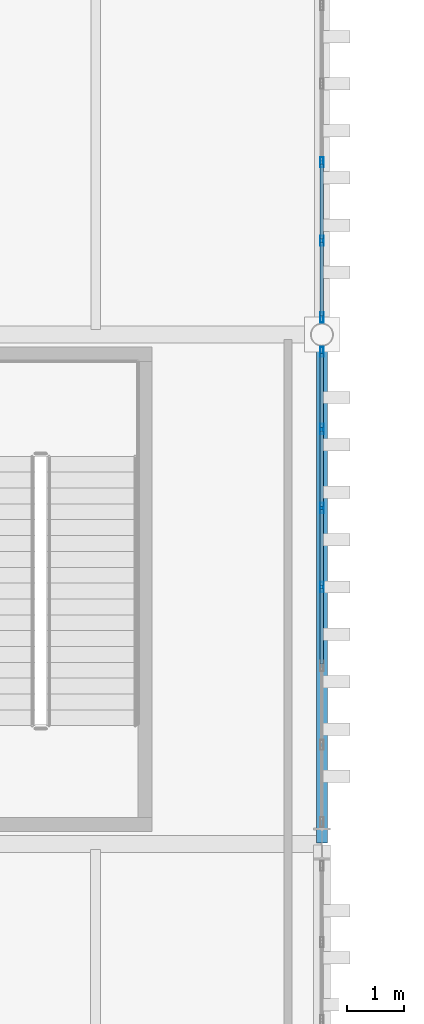
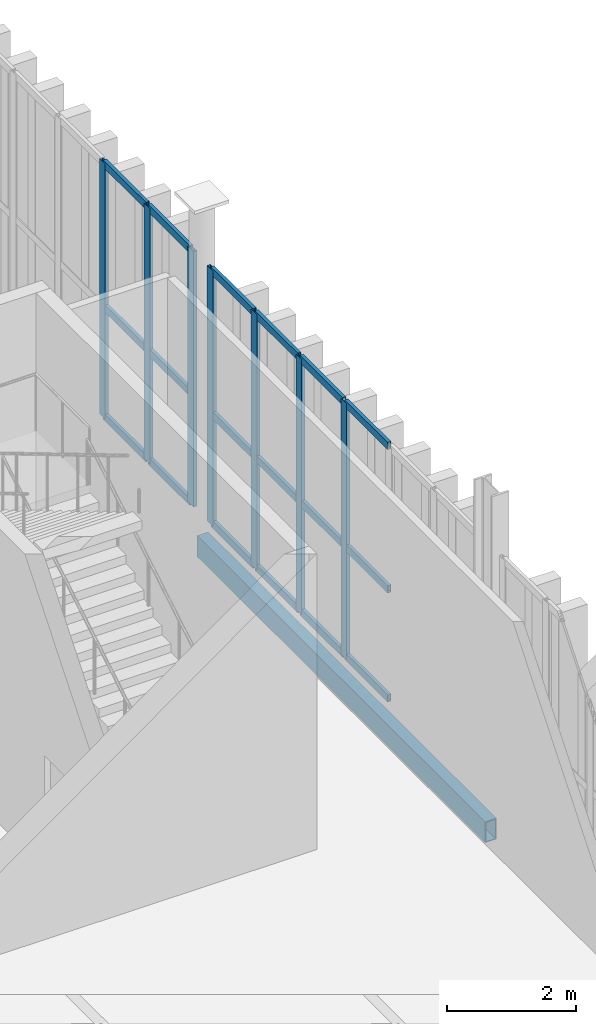
# One storey, part 133 of 237: 25 members, 1 beam, 2 elements without a shape of their own.
"""IFC4 building model written with IfcOpenShell, lengths in metres."""

import ifcopenshell
import ifcopenshell.guid

model = None  # the IFC model being written
_history = None  # IfcOwnerHistory: only IFC2X3 demands one
_inside = {}  # id of a spatial element -> (the spatial element, [elements in it])
_under = {}  # id of a project, library or spatial element -> (it, [spatial elements below it])
_declared = {}  # id of a project -> (the project, [libraries it declares])
_typed = {}  # id of a type object -> (the type object, [elements of that type])
_made_of = {}  # id of a material, layer set ... -> (it, [elements and type objects made of it])


def new_model(schema):
    """Start an empty IFC model of exactly this schema.

    Asked for "IFC4X3", IfcOpenShell would pick the latest addendum, in which some entities
    have other attributes; the version numbers below select the first issue.
    IFC2X3 requires an IfcOwnerHistory on every rooted entity: one is made here for all.
    """
    global model, _history
    if schema == "IFC4X3":
        model = ifcopenshell.file(schema_version=(4, 3, 0, 0))
    else:
        model = ifcopenshell.file(schema=schema)
    _inside.clear()
    _under.clear()
    _declared.clear()
    _typed.clear()
    _made_of.clear()
    _history = None
    if model.schema == "IFC2X3":
        org = make("IfcOrganization", Name="unknown")
        user = make(
            "IfcPersonAndOrganization",
            ThePerson=make("IfcPerson", FamilyName="unknown"),
            TheOrganization=org,
        )
        app = make(
            "IfcApplication",
            ApplicationDeveloper=org,
            Version="unknown",
            ApplicationFullName="unknown",
            ApplicationIdentifier="unknown",
        )
        _history = make(
            "IfcOwnerHistory",
            OwningUser=user,
            OwningApplication=app,
            ChangeAction="ADDED",
            CreationDate=0,
        )
    return model


def make(cls, **values):
    """One entity of the class cls with the attributes given. An attribute that is None is left unset."""
    return model.create_entity(
        cls, **{name: value for name, value in values.items() if value is not None}
    )


def rooted(cls, **values):
    """An entity with a GlobalId (a new one), such as an element, a storey or a relation."""
    return make(cls, GlobalId=ifcopenshell.guid.new(), OwnerHistory=_history, **values)


def si_unit(unit_type, name, prefix=None):
    """IfcSIUnit, for example si_unit("LENGTHUNIT", "METRE", prefix="MILLI")."""
    return make("IfcSIUnit", UnitType=unit_type, Prefix=prefix, Name=name)


def assignment(units):
    """IfcUnitAssignment: the units of a project."""
    return None if units is None else make("IfcUnitAssignment", Units=units)


def point(xyz):
    """IfcCartesianPoint."""
    return None if xyz is None else make("IfcCartesianPoint", Coordinates=xyz)


def direction(xyz):
    """IfcDirection."""
    return None if xyz is None else make("IfcDirection", DirectionRatios=xyz)


def frame(location, z_axis=None, x_axis=None):
    """IfcAxis2Placement3D, a coordinate frame: its origin and axes. An axis left out is left unset."""
    return make(
        "IfcAxis2Placement3D",
        Location=point(location),
        Axis=direction(z_axis),
        RefDirection=direction(x_axis),
    )


def frame_2d(location, x_axis=None):
    """IfcAxis2Placement2D, a coordinate frame in the plane: its origin and x axis."""
    return make(
        "IfcAxis2Placement2D", Location=point(location), RefDirection=direction(x_axis)
    )


def origin():
    """The frame at (0, 0, 0) with its axes left unset."""
    return frame((0.0, 0.0, 0.0))


def origin_2d():
    """The frame at (0, 0) in the plane with its x axis left unset."""
    return frame_2d((0.0, 0.0))


def place(relative_to, where):
    """IfcLocalPlacement: puts the frame where relative to a parent placement (None: the world)."""
    return make(
        "IfcLocalPlacement", PlacementRelTo=relative_to, RelativePlacement=where
    )


def context(
    kind, dimensions, precision=None, world=None, true_north=None, identifier=None
):
    """IfcGeometricRepresentationContext, for example the 3D "Model" context."""
    return make(
        "IfcGeometricRepresentationContext",
        ContextIdentifier=identifier,
        ContextType=kind,
        CoordinateSpaceDimension=dimensions,
        Precision=precision,
        WorldCoordinateSystem=world,
        TrueNorth=true_north,
    )


def subcontext(parent, identifier, kind, view, scale=None):
    """IfcGeometricRepresentationSubContext, for example "Body" below "Model"."""
    return make(
        "IfcGeometricRepresentationSubContext",
        ContextIdentifier=identifier,
        ContextType=kind,
        ParentContext=parent,
        TargetScale=scale,
        TargetView=view,
    )


def project(units=None, contexts=None):
    """IfcProject with its units and contexts."""
    return rooted(
        "IfcProject",
        Name="project",
        RepresentationContexts=contexts,
        UnitsInContext=assignment(units),
    )


def spatial(cls, under=None, at=None, **own):
    """A site, building, storey or space (cls), placed at a placement, below another one or the project."""
    s = rooted(cls, ObjectPlacement=at, **own)
    if under is not None:
        _under.setdefault(under.id(), (under, []))[1].append(s)
    return s


def profile(cls, at=None, kind="AREA", **sizes):
    """A parametric profile (cls). Its sizes go by their IFC names, for example OverallWidth=200.0."""
    return make(cls, ProfileType=kind, Position=at, **sizes)


def hollow_rectangle(**sizes):
    """IfcRectangleHollowProfileDef."""
    return profile("IfcRectangleHollowProfileDef", **sizes)


def extrude(swept, where, along, depth):
    """IfcExtrudedAreaSolid: the profile swept, set in the frame where, extruded along a direction by depth."""
    return make(
        "IfcExtrudedAreaSolid",
        SweptArea=swept,
        Position=where,
        ExtrudedDirection=direction(along),
        Depth=depth,
    )


def shape(context_of_items, identifier, shape_type, items):
    """IfcShapeRepresentation: the items that make up one representation, for example the "Body"."""
    return make(
        "IfcShapeRepresentation",
        ContextOfItems=context_of_items,
        RepresentationIdentifier=identifier,
        RepresentationType=shape_type,
        Items=items,
    )


def material(Name=None, Category=None):
    """IfcMaterial."""
    return make("IfcMaterial", Name=Name, Category=Category)


def layer(
    of_material, thickness, ventilated=None, Name=None, Category=None, Priority=None
):
    """IfcMaterialLayer: one layer of a wall or slab, of a material (None: an air gap)."""
    return make(
        "IfcMaterialLayer",
        Material=of_material,
        LayerThickness=thickness,
        IsVentilated=ventilated,
        Name=Name,
        Category=Category,
        Priority=Priority,
    )


def layer_set(layers, Name=None):
    """IfcMaterialLayerSet."""
    return make("IfcMaterialLayerSet", MaterialLayers=layers, LayerSetName=Name)


def material_profile(
    of_material, cross_section, Name=None, Category=None, Priority=None
):
    """IfcMaterialProfile: a cross section and its material."""
    return make(
        "IfcMaterialProfile",
        Name=Name,
        Material=of_material,
        Profile=cross_section,
        Priority=Priority,
        Category=Category,
    )


def profile_set(profiles, Name=None, composite=None):
    """IfcMaterialProfileSet."""
    return make(
        "IfcMaterialProfileSet",
        Name=Name,
        MaterialProfiles=profiles,
        CompositeProfile=composite,
    )


def made_of(thing, what):
    """Note that an element or type object is made of a material, layer set ...; save() writes the relation."""
    if what is not None:
        _made_of.setdefault(what.id(), (what, []))[1].append(thing)
    return thing


def type_object(cls, material=None, **own):
    """A type object (cls), such as IfcWallType, which elements share."""
    return made_of(rooted(cls, **own), material)


def element(
    cls,
    number,
    at=None,
    inside=None,
    cuts=None,
    type_object=None,
    material=None,
    context=None,
    identifier="Body",
    shape_type=None,
    held_by="IfcProductDefinitionShape",
    body=None,
    shapes=None,
    **own,
):
    """One element of the class cls, such as IfcWall. Its Tag is "e" and its number.

    at: its placement. inside: the storey or other place that contains it. cuts: it is an
    opening in that element (IfcRelVoidsElement). A single representation is given by context,
    identifier, shape_type and body (its items); several are given by shapes. held_by: the class
    of the entity that holds the representations. save() writes the other relations.
    """
    e = rooted(cls, Tag="e%d" % number, ObjectPlacement=at, **own)
    if body is not None:
        shapes = [shape(context, identifier, shape_type, body)]
    if shapes is not None:
        e.Representation = make(held_by, Representations=shapes)
    if inside is not None:
        _inside.setdefault(inside.id(), (inside, []))[1].append(e)
    if cuts is not None:
        rooted(
            "IfcRelVoidsElement", RelatingBuildingElement=cuts, RelatedOpeningElement=e
        )
    if type_object is not None:
        _typed.setdefault(type_object.id(), (type_object, []))[1].append(e)
    return made_of(e, material)


def aggregate(whole, parts):
    """IfcRelAggregates: a whole, such as a stair, and the parts it consists of."""
    return rooted("IfcRelAggregates", RelatingObject=whole, RelatedObjects=parts)


def save(model, path):
    """Write the relations noted so far, then the file.

    IfcRelAggregates (storeys below a building ...), IfcRelContainedInSpatialStructure (elements
    in a storey), IfcRelDefinesByType, IfcRelAssociatesMaterial and IfcRelDeclares: one each for
    every whole, place, type object, material and project.
    """
    for whole, parts in _under.values():
        aggregate(whole, parts)
    for where, things in _inside.values():
        rooted(
            "IfcRelContainedInSpatialStructure",
            RelatedElements=things,
            RelatingStructure=where,
        )
    for kind, things in _typed.values():
        rooted("IfcRelDefinesByType", RelatedObjects=things, RelatingType=kind)
    for what, things in _made_of.values():
        rooted("IfcRelAssociatesMaterial", RelatedObjects=things, RelatingMaterial=what)
    for by, libraries in _declared.values():
        rooted("IfcRelDeclares", RelatingContext=by, RelatedDefinitions=libraries)
    model.write(path)


model = new_model("IFC4")

# Units and contexts
model_context = context("Model", 3, precision=1e-05, world=origin(), true_north=direction((0.0, 1.0)))
body_context = subcontext(model_context, "Body", "Model", "MODEL_VIEW")
ifc_project = project(units=[si_unit("LENGTHUNIT", "METRE"), si_unit("AREAUNIT", "SQUARE_METRE"), si_unit("VOLUMEUNIT", "CUBIC_METRE"), si_unit("PLANEANGLEUNIT", "RADIAN"), si_unit("MASSUNIT", "GRAM", prefix="KILO")], contexts=[model_context])

# Site, building, storey
site_placement = place(None, origin())
site = spatial("IfcSite", under=ifc_project, at=site_placement, CompositionType="ELEMENT")
building_placement = place(site_placement, origin())
building = spatial("IfcBuilding", under=site, at=building_placement, Name="Barlavento Convention Centre", CompositionType="ELEMENT")
storey_placement = place(building_placement, frame((0.0, 0.0, 12.0)))
storey = spatial("IfcBuildingStorey", under=building, at=storey_placement, Name="L02", CompositionType="ELEMENT", Elevation=12.0)

# Curtain wall, members
ifc_material_1 = material(Name="Powder-coated aluminium and Low-E glass", Category="aluminium")
ifc_layer = layer(ifc_material_1, 0.195068359375)
ifc_layer_set = layer_set([ifc_layer], Name="ARC-CW-BALL-L02")
curtain_wall_type = type_object("IfcCurtainWallType", Name="ARC-CW-BALL-L02", PredefinedType="NOTDEFINED", material=ifc_layer_set)
curtain_wall_1_placement = place(storey_placement, origin())
curtain_wall_1 = element("IfcCurtainWall", 1, at=curtain_wall_1_placement, inside=storey, type_object=curtain_wall_type, Name="L02 unitised curtain wall CW07", PredefinedType="NOTDEFINED")
ifc_material_2 = material(Name="Powder-coated aluminium", Category="aluminium")
ifc_material_profile_1 = material_profile(ifc_material_2, hollow_rectangle(XDim=0.06005859375, YDim=0.179931640625, WallThickness=0.0048828125, at=origin_2d()), Name="AL-MULL 60x180x5")
ifc_profile_set_1 = profile_set([ifc_material_profile_1], Name="Powder-coated aluminium")
member_type_1 = type_object("IfcMemberType", Name="ARC-CWM-60X180", PredefinedType="MULLION", material=ifc_profile_set_1)
member_1_placement = place(storey_placement, frame((192.0, 40.54150390625, 0.0), z_axis=(0.0, 0.0, 1.0), x_axis=(-1.0, 0.0, 0.0)))
member_1 = element("IfcMember", 2, at=member_1_placement, type_object=member_type_1, Name="CW07 mullion 4", PredefinedType="MULLION", context=body_context, shape_type="SweptSolid", body=[
    extrude(hollow_rectangle(XDim=0.06005859375, YDim=0.179931640625, WallThickness=0.0048828125, at=origin_2d()), origin(), (0.0, 0.0, 1.0), 4.85009765625),
])
member_2_placement = place(storey_placement, frame((192.0, 41.9365234375, 0.0), z_axis=(0.0, 0.0, 1.0), x_axis=(-1.0, 0.0, 0.0)))
member_2 = element("IfcMember", 3, at=member_2_placement, type_object=member_type_1, Name="CW07 mullion 5", PredefinedType="MULLION", context=body_context, shape_type="SweptSolid", body=[
    extrude(hollow_rectangle(XDim=0.06005859375, YDim=0.179931640625, WallThickness=0.0048828125, at=origin_2d()), origin(), (0.0, 0.0, 1.0), 4.85009765625),
])
member_3_placement = place(storey_placement, frame((192.0, 43.331787109375, 0.0), z_axis=(0.0, 0.0, 1.0), x_axis=(-1.0, 0.0, 0.0)))
member_3 = element("IfcMember", 4, at=member_3_placement, type_object=member_type_1, Name="CW07 mullion 6", PredefinedType="MULLION", context=body_context, shape_type="SweptSolid", body=[
    extrude(hollow_rectangle(XDim=0.06005859375, YDim=0.179931640625, WallThickness=0.0048828125, at=origin_2d()), origin(), (0.0, 0.0, 1.0), 4.85009765625),
])
member_4_placement = place(storey_placement, frame((192.0, 44.69677734375, 0.0), z_axis=(0.0, 0.0, 1.0), x_axis=(-1.0, 0.0, 0.0)))
member_4 = element("IfcMember", 5, at=member_4_placement, type_object=member_type_1, Name="CW07 mullion 7", PredefinedType="MULLION", context=body_context, shape_type="SweptSolid", body=[
    extrude(hollow_rectangle(XDim=0.06005859375, YDim=0.179931640625, WallThickness=0.0048828125, at=origin_2d()), origin(), (0.0, 0.0, 1.0), 4.85009765625),
])

curtain_wall_2_placement = place(storey_placement, origin())
curtain_wall_2 = element("IfcCurtainWall", 6, at=curtain_wall_2_placement, inside=storey, type_object=curtain_wall_type, Name="L02 unitised curtain wall CW07", PredefinedType="NOTDEFINED")
member_5_placement = place(storey_placement, frame((192.0, 45.30322265625, 0.0), z_axis=(0.0, 0.0, 1.0), x_axis=(-1.0, 0.0, 0.0)))
member_5 = element("IfcMember", 7, at=member_5_placement, type_object=member_type_1, Name="CW07 mullion 1", PredefinedType="MULLION", context=body_context, shape_type="SweptSolid", body=[
    extrude(hollow_rectangle(XDim=0.06005859375, YDim=0.179931640625, WallThickness=0.0048828125, at=origin_2d()), origin(), (0.0, 0.0, 1.0), 4.85009765625),
])
member_6_placement = place(storey_placement, frame((192.0, 46.660400390625, 0.0), z_axis=(0.0, 0.0, 1.0), x_axis=(-1.0, 0.0, 0.0)))
member_6 = element("IfcMember", 8, at=member_6_placement, type_object=member_type_1, Name="CW07 mullion 2", PredefinedType="MULLION", context=body_context, shape_type="SweptSolid", body=[
    extrude(hollow_rectangle(XDim=0.06005859375, YDim=0.179931640625, WallThickness=0.0048828125, at=origin_2d()), origin(), (0.0, 0.0, 1.0), 4.85009765625),
])
member_7_placement = place(storey_placement, frame((192.0, 48.04736328125, 0.0), z_axis=(0.0, 0.0, 1.0), x_axis=(-1.0, 0.0, 0.0)))
member_7 = element("IfcMember", 9, at=member_7_placement, type_object=member_type_1, Name="CW07 mullion 3", PredefinedType="MULLION", context=body_context, shape_type="SweptSolid", body=[
    extrude(hollow_rectangle(XDim=0.06005859375, YDim=0.179931640625, WallThickness=0.0048828125, at=origin_2d()), origin(), (0.0, 0.0, 1.0), 4.85009765625),
])

# Member
ifc_material_profile_2 = material_profile(ifc_material_2, hollow_rectangle(XDim=0.06005859375, YDim=0.139892578125, WallThickness=0.00390625, at=origin_2d()), Name="AL-TRAN 60x140x4")
ifc_profile_set_2 = profile_set([ifc_material_profile_2], Name="Powder-coated aluminium")
member_type_2 = type_object("IfcMemberType", Name="ARC-CWT-60X140", PredefinedType="USERDEFINED", material=ifc_profile_set_2)
member_8_placement = place(storey_placement, frame((192.0, 39.17626953125, 0.030029296875), z_axis=(0.0, 1.0, 0.0), x_axis=(-1.0, 0.0, 0.0)))
member_8 = element("IfcMember", 10, at=member_8_placement, type_object=member_type_2, Name="CW07 transom 3.1", ObjectType="TRANSOM", PredefinedType="USERDEFINED", context=body_context, shape_type="SweptSolid", body=[
    extrude(hollow_rectangle(XDim=0.06005859375, YDim=0.139892578125, WallThickness=0.00390625, at=origin_2d()), origin(), (0.0, 0.0, 1.0), 1.335205078125),
])

member_9_placement = place(storey_placement, frame((192.0, 39.17626953125, 2.10009765625), z_axis=(0.0, 1.0, 0.0), x_axis=(-1.0, 0.0, 0.0)))
member_9 = element("IfcMember", 11, at=member_9_placement, type_object=member_type_2, Name="CW07 transom 3.2", ObjectType="TRANSOM", PredefinedType="USERDEFINED", context=body_context, shape_type="SweptSolid", body=[
    extrude(hollow_rectangle(XDim=0.06005859375, YDim=0.139892578125, WallThickness=0.00390625, at=origin_2d()), origin(), (0.0, 0.0, 1.0), 1.335205078125),
])

member_10_placement = place(storey_placement, frame((192.0, 39.17626953125, 4.820068359375), z_axis=(0.0, 1.0, 0.0), x_axis=(-1.0, 0.0, 0.0)))
member_10 = element("IfcMember", 12, at=member_10_placement, type_object=member_type_2, Name="CW07 transom 3.3", ObjectType="TRANSOM", PredefinedType="USERDEFINED", context=body_context, shape_type="SweptSolid", body=[
    extrude(hollow_rectangle(XDim=0.06005859375, YDim=0.139892578125, WallThickness=0.00390625, at=origin_2d()), origin(), (0.0, 0.0, 1.0), 1.335205078125),
])

member_11_placement = place(storey_placement, frame((192.0, 40.5712890625, 0.030029296875), z_axis=(0.0, 1.0, 0.0), x_axis=(-1.0, 0.0, 0.0)))
member_11 = element("IfcMember", 13, at=member_11_placement, type_object=member_type_2, Name="CW07 transom 4.1", ObjectType="TRANSOM", PredefinedType="USERDEFINED", context=body_context, shape_type="SweptSolid", body=[
    extrude(hollow_rectangle(XDim=0.06005859375, YDim=0.139892578125, WallThickness=0.00390625, at=origin_2d()), origin(), (0.0, 0.0, 1.0), 1.335205078125),
])

member_12_placement = place(storey_placement, frame((192.0, 40.5712890625, 2.10009765625), z_axis=(0.0, 1.0, 0.0), x_axis=(-1.0, 0.0, 0.0)))
member_12 = element("IfcMember", 14, at=member_12_placement, type_object=member_type_2, Name="CW07 transom 4.2", ObjectType="TRANSOM", PredefinedType="USERDEFINED", context=body_context, shape_type="SweptSolid", body=[
    extrude(hollow_rectangle(XDim=0.06005859375, YDim=0.139892578125, WallThickness=0.00390625, at=origin_2d()), origin(), (0.0, 0.0, 1.0), 1.335205078125),
])

member_13_placement = place(storey_placement, frame((192.0, 40.5712890625, 4.820068359375), z_axis=(0.0, 1.0, 0.0), x_axis=(-1.0, 0.0, 0.0)))
member_13 = element("IfcMember", 15, at=member_13_placement, type_object=member_type_2, Name="CW07 transom 4.3", ObjectType="TRANSOM", PredefinedType="USERDEFINED", context=body_context, shape_type="SweptSolid", body=[
    extrude(hollow_rectangle(XDim=0.06005859375, YDim=0.139892578125, WallThickness=0.00390625, at=origin_2d()), origin(), (0.0, 0.0, 1.0), 1.335205078125),
])

member_14_placement = place(storey_placement, frame((192.0, 41.966552734375, 0.030029296875), z_axis=(0.0, 1.0, 0.0), x_axis=(-1.0, 0.0, 0.0)))
member_14 = element("IfcMember", 16, at=member_14_placement, type_object=member_type_2, Name="CW07 transom 5.1", ObjectType="TRANSOM", PredefinedType="USERDEFINED", context=body_context, shape_type="SweptSolid", body=[
    extrude(hollow_rectangle(XDim=0.06005859375, YDim=0.139892578125, WallThickness=0.00390625, at=origin_2d()), origin(), (0.0, 0.0, 1.0), 1.335205078125),
])

member_15_placement = place(storey_placement, frame((192.0, 41.966552734375, 2.10009765625), z_axis=(0.0, 1.0, 0.0), x_axis=(-1.0, 0.0, 0.0)))
member_15 = element("IfcMember", 17, at=member_15_placement, type_object=member_type_2, Name="CW07 transom 5.2", ObjectType="TRANSOM", PredefinedType="USERDEFINED", context=body_context, shape_type="SweptSolid", body=[
    extrude(hollow_rectangle(XDim=0.06005859375, YDim=0.139892578125, WallThickness=0.00390625, at=origin_2d()), origin(), (0.0, 0.0, 1.0), 1.335205078125),
])

member_16_placement = place(storey_placement, frame((192.0, 41.966552734375, 4.820068359375), z_axis=(0.0, 1.0, 0.0), x_axis=(-1.0, 0.0, 0.0)))
member_16 = element("IfcMember", 18, at=member_16_placement, type_object=member_type_2, Name="CW07 transom 5.3", ObjectType="TRANSOM", PredefinedType="USERDEFINED", context=body_context, shape_type="SweptSolid", body=[
    extrude(hollow_rectangle(XDim=0.06005859375, YDim=0.139892578125, WallThickness=0.00390625, at=origin_2d()), origin(), (0.0, 0.0, 1.0), 1.335205078125),
])

member_17_placement = place(storey_placement, frame((192.0, 43.361572265625, 0.030029296875), z_axis=(0.0, 1.0, 0.0), x_axis=(-1.0, 0.0, 0.0)))
member_17 = element("IfcMember", 19, at=member_17_placement, type_object=member_type_2, Name="CW07 transom 6.1", ObjectType="TRANSOM", PredefinedType="USERDEFINED", context=body_context, shape_type="SweptSolid", body=[
    extrude(hollow_rectangle(XDim=0.06005859375, YDim=0.139892578125, WallThickness=0.00390625, at=origin_2d()), origin(), (0.0, 0.0, 1.0), 1.30517578125),
])

member_18_placement = place(storey_placement, frame((192.0, 43.361572265625, 2.10009765625), z_axis=(0.0, 1.0, 0.0), x_axis=(-1.0, 0.0, 0.0)))
member_18 = element("IfcMember", 20, at=member_18_placement, type_object=member_type_2, Name="CW07 transom 6.2", ObjectType="TRANSOM", PredefinedType="USERDEFINED", context=body_context, shape_type="SweptSolid", body=[
    extrude(hollow_rectangle(XDim=0.06005859375, YDim=0.139892578125, WallThickness=0.00390625, at=origin_2d()), origin(), (0.0, 0.0, 1.0), 1.30517578125),
])

member_19_placement = place(storey_placement, frame((192.0, 43.361572265625, 4.820068359375), z_axis=(0.0, 1.0, 0.0), x_axis=(-1.0, 0.0, 0.0)))
member_19 = element("IfcMember", 21, at=member_19_placement, type_object=member_type_2, Name="CW07 transom 6.3", ObjectType="TRANSOM", PredefinedType="USERDEFINED", context=body_context, shape_type="SweptSolid", body=[
    extrude(hollow_rectangle(XDim=0.06005859375, YDim=0.139892578125, WallThickness=0.00390625, at=origin_2d()), origin(), (0.0, 0.0, 1.0), 1.30517578125),
])

aggregate(curtain_wall_1, [member_1, member_2, member_3, member_4, member_8, member_9, member_10, member_11, member_12, member_13, member_14, member_15, member_16, member_17, member_18, member_19])

member_20_placement = place(storey_placement, frame((192.0, 45.333251953125, 0.030029296875), z_axis=(0.0, 1.0, 0.0), x_axis=(-1.0, 0.0, 0.0)))
member_20 = element("IfcMember", 22, at=member_20_placement, type_object=member_type_2, Name="CW07 transom 1.1", ObjectType="TRANSOM", PredefinedType="USERDEFINED", context=body_context, shape_type="SweptSolid", body=[
    extrude(hollow_rectangle(XDim=0.06005859375, YDim=0.139892578125, WallThickness=0.00390625, at=origin_2d()), origin(), (0.0, 0.0, 1.0), 1.297119140625),
])

member_21_placement = place(storey_placement, frame((192.0, 45.333251953125, 2.10009765625), z_axis=(0.0, 1.0, 0.0), x_axis=(-1.0, 0.0, 0.0)))
member_21 = element("IfcMember", 23, at=member_21_placement, type_object=member_type_2, Name="CW07 transom 1.2", ObjectType="TRANSOM", PredefinedType="USERDEFINED", context=body_context, shape_type="SweptSolid", body=[
    extrude(hollow_rectangle(XDim=0.06005859375, YDim=0.139892578125, WallThickness=0.00390625, at=origin_2d()), origin(), (0.0, 0.0, 1.0), 1.297119140625),
])

member_22_placement = place(storey_placement, frame((192.0, 45.333251953125, 4.820068359375), z_axis=(0.0, 1.0, 0.0), x_axis=(-1.0, 0.0, 0.0)))
member_22 = element("IfcMember", 24, at=member_22_placement, type_object=member_type_2, Name="CW07 transom 1.3", ObjectType="TRANSOM", PredefinedType="USERDEFINED", context=body_context, shape_type="SweptSolid", body=[
    extrude(hollow_rectangle(XDim=0.06005859375, YDim=0.139892578125, WallThickness=0.00390625, at=origin_2d()), origin(), (0.0, 0.0, 1.0), 1.297119140625),
])

member_23_placement = place(storey_placement, frame((192.0, 46.6904296875, 0.030029296875), z_axis=(0.0, 1.0, 0.0), x_axis=(-1.0, 0.0, 0.0)))
member_23 = element("IfcMember", 25, at=member_23_placement, type_object=member_type_2, Name="CW07 transom 2.1", ObjectType="TRANSOM", PredefinedType="USERDEFINED", context=body_context, shape_type="SweptSolid", body=[
    extrude(hollow_rectangle(XDim=0.06005859375, YDim=0.139892578125, WallThickness=0.00390625, at=origin_2d()), origin(), (0.0, 0.0, 1.0), 1.3271484375),
])

member_24_placement = place(storey_placement, frame((192.0, 46.6904296875, 2.10009765625), z_axis=(0.0, 1.0, 0.0), x_axis=(-1.0, 0.0, 0.0)))
member_24 = element("IfcMember", 26, at=member_24_placement, type_object=member_type_2, Name="CW07 transom 2.2", ObjectType="TRANSOM", PredefinedType="USERDEFINED", context=body_context, shape_type="SweptSolid", body=[
    extrude(hollow_rectangle(XDim=0.06005859375, YDim=0.139892578125, WallThickness=0.00390625, at=origin_2d()), origin(), (0.0, 0.0, 1.0), 1.3271484375),
])

member_25_placement = place(storey_placement, frame((192.0, 46.6904296875, 4.820068359375), z_axis=(0.0, 1.0, 0.0), x_axis=(-1.0, 0.0, 0.0)))
member_25 = element("IfcMember", 27, at=member_25_placement, type_object=member_type_2, Name="CW07 transom 2.3", ObjectType="TRANSOM", PredefinedType="USERDEFINED", context=body_context, shape_type="SweptSolid", body=[
    extrude(hollow_rectangle(XDim=0.06005859375, YDim=0.139892578125, WallThickness=0.00390625, at=origin_2d()), origin(), (0.0, 0.0, 1.0), 1.3271484375),
])

aggregate(curtain_wall_2, [member_5, member_6, member_7, member_20, member_21, member_22, member_23, member_24, member_25])

# Beam
ifc_material_3 = material(Name="Steel S355", Category="steel")
ifc_material_profile_3 = material_profile(ifc_material_3, hollow_rectangle(XDim=0.199951171875, YDim=0.39990234375, WallThickness=0.01611328125, at=origin_2d()), Name="RHS 400x200x16.0")
ifc_profile_set_3 = profile_set([ifc_material_profile_3], Name="Steel S355")
beam_type = type_object("IfcBeamType", Name="STR-BM-SPN-RHS400", PredefinedType="SPANDREL", material=ifc_profile_set_3)
beam_placement = place(storey_placement, frame((192.0, 36.02001953125, -0.570068359375), z_axis=(0.0, 1.0, 0.0), x_axis=(-1.0, 0.0, 0.0)))
element("IfcBeam", 28, at=beam_placement, inside=storey, type_object=beam_type, Name="L02 grid girder SP06", PredefinedType="SPANDREL", context=body_context, shape_type="SweptSolid", body=[
    extrude(hollow_rectangle(XDim=0.199951171875, YDim=0.39990234375, WallThickness=0.01611328125, at=origin_2d()), origin(), (0.0, 0.0, 1.0), 8.9599609375),
])

save(model, "model.ifc")
